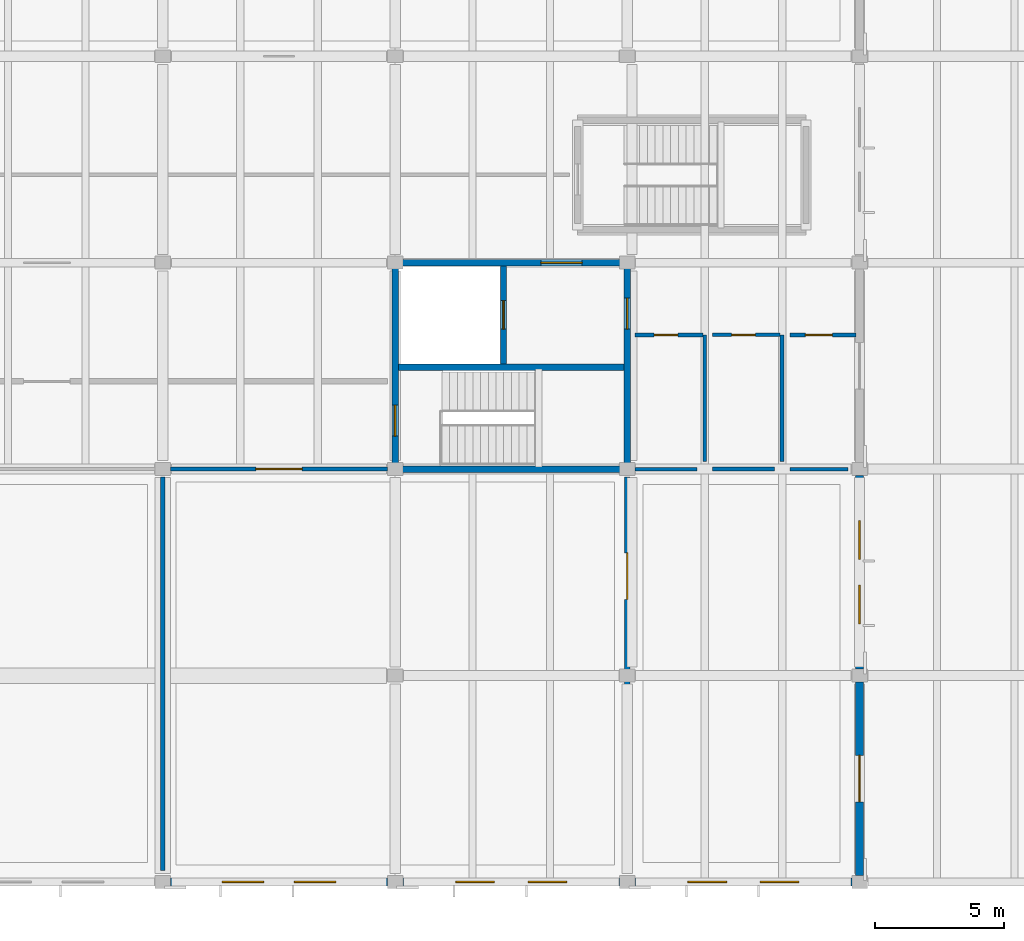
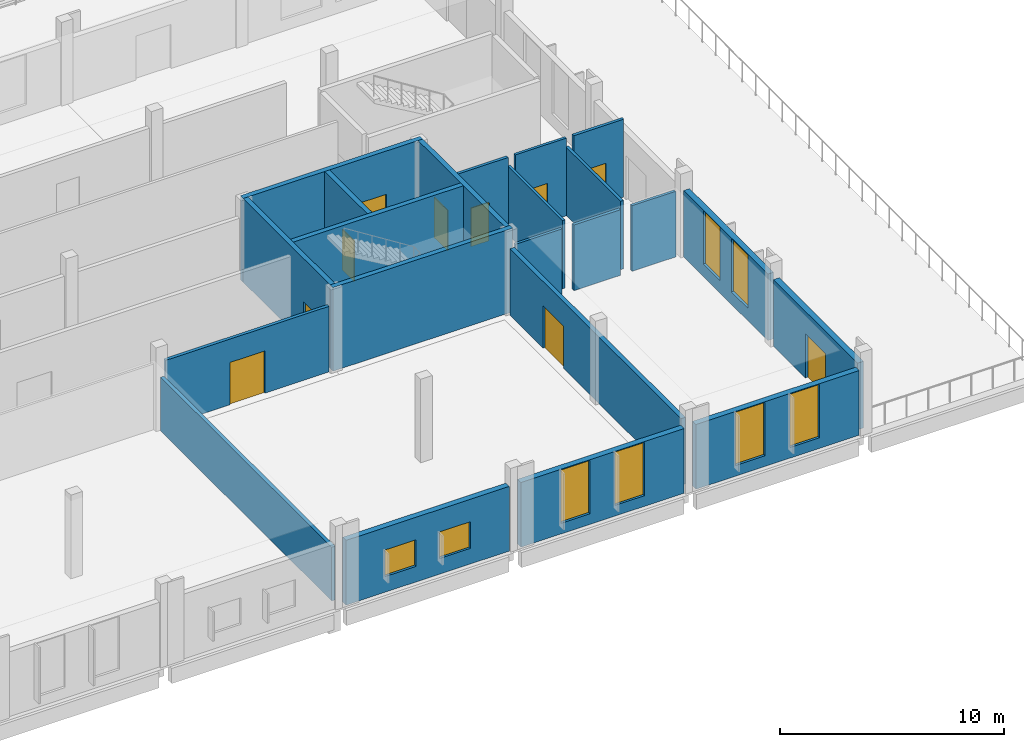
# One storey, part 41 of 63: 22 walls, 10 doors, 8 windows, 18 openings.
"""IFC4 building model written with IfcOpenShell, lengths in metres."""

from ifc_helpers import new_model, si_unit, direction, frame, frame_2d, origin, place, context, subcontext, project, spatial, rectangle, extrude, material, layer, layer_set, type_object, element, fill, save


model = new_model("IFC4")

# Units and contexts
model_context = context("Model", 3, precision=1e-05, world=origin(), true_north=direction((0.0, 1.0)))
body_context = subcontext(model_context, "Body", "Model", "MODEL_VIEW")
ifc_project = project(units=[si_unit("LENGTHUNIT", "METRE"), si_unit("AREAUNIT", "SQUARE_METRE"), si_unit("VOLUMEUNIT", "CUBIC_METRE"), si_unit("PLANEANGLEUNIT", "RADIAN"), si_unit("MASSUNIT", "GRAM", prefix="KILO")], contexts=[model_context])

# Site, building, storey
site_placement = place(None, origin())
site = spatial("IfcSite", under=ifc_project, at=site_placement, CompositionType="ELEMENT")
building_placement = place(site_placement, origin())
building = spatial("IfcBuilding", under=site, at=building_placement, Name="Zacnel Wholesale Market", CompositionType="ELEMENT")
storey_placement = place(building_placement, frame((0.0, 0.0, 11.199951171875)))
storey = spatial("IfcBuildingStorey", under=building, at=storey_placement, Name="L03", CompositionType="ELEMENT", Elevation=11.199951171875)

# Wall
ifc_material_1 = material(Name="Concrete C40/50", Category="concrete")
ifc_layer_1 = layer(ifc_material_1, 0.25)
ifc_layer_set_1 = layer_set([ifc_layer_1], Name="Concrete C40/50")
wall_type_1 = type_object("IfcWallType", Name="WL-CORE-SW250", PredefinedType="SOLIDWALL", material=ifc_layer_set_1)
wall_1_placement = place(storey_placement, frame((188.875, 16.0, 0.0), z_axis=(0.0, 0.0, 1.0), x_axis=(1.0, 0.0, 0.0)))
element("IfcWall", 1, at=wall_1_placement, inside=storey, type_object=wall_type_1, Name="Core C2 south shear wall L03", PredefinedType="SOLIDWALL", context=body_context, shape_type="SweptSolid", body=[
    extrude(rectangle(XDim=9.25, YDim=0.25, at=frame_2d((4.625, 0.0))), origin(), (0.0, 0.0, 1.0), 4.550048828125),
])

# Wall, opening, door
wall_2_placement = place(storey_placement, frame((188.875, 24.0, 0.0), z_axis=(0.0, 0.0, 1.0), x_axis=(1.0, 0.0, 0.0)))
wall_2 = element("IfcWall", 2, at=wall_2_placement, inside=storey, type_object=wall_type_1, Name="Core C2 north shear wall L03", PredefinedType="SOLIDWALL", context=body_context, shape_type="SweptSolid", body=[
    extrude(rectangle(XDim=9.25, YDim=0.25, at=frame_2d((4.625, 0.0))), origin(), (0.0, 0.0, 1.0), 4.550048828125),
])
opening_1_placement = place(wall_2_placement, frame((5.77490234375, 0.0, 0.0)))
opening_1 = element("IfcOpeningElement", 3, at=opening_1_placement, cuts=wall_2, Name="Opening FD-02", PredefinedType="OPENING", context=body_context, shape_type="SweptSolid", body=[
    extrude(rectangle(XDim=1.60009765625, YDim=2.199951171875, at=frame_2d((0.800048828125, 1.10009765625))), frame((0.0, 0.135009765625, 0.0), z_axis=(0.0, -1.0, 0.0), x_axis=(1.0, 0.0, 0.0)), (0.0, 0.0, 1.0), 0.27001953125),
])
ifc_material_2 = material(Name="Galvanized steel", Category="steel")
door_type_1 = type_object("IfcDoorType", Name="DR-FIRE-LOBBY-1600", OperationType="NOTDEFINED", PredefinedType="DOOR", material=ifc_material_2)
door_1_placement = place(opening_1_placement, origin())
door_1 = element("IfcDoor", 4, at=door_1_placement, inside=storey, type_object=door_type_1, Name="Core lift lobby fire door C2 L03", OperationType="SINGLE_SWING_RIGHT", OverallHeight=2.199951171875, OverallWidth=1.60009765625, PredefinedType="DOOR", context=body_context, shape_type="SweptSolid", body=[
    extrude(rectangle(XDim=1.60009765625, YDim=2.199951171875, at=frame_2d((0.800048828125, 1.10009765625))), frame((0.0, 0.02490234375, 0.0), z_axis=(0.0, -1.0, 0.0), x_axis=(1.0, 0.0, 0.0)), (0.0, 0.0, 1.0), 0.050048828125),
])
fill(opening_1, door_1)

wall_3_placement = place(storey_placement, frame((189.0, 16.125, 0.0), z_axis=(0.0, 0.0, 1.0), x_axis=(0.0, 1.0, 0.0)))
wall_3 = element("IfcWall", 5, at=wall_3_placement, inside=storey, type_object=wall_type_1, Name="Core C2 west shear wall L03", PredefinedType="SOLIDWALL", context=body_context, shape_type="SweptSolid", body=[
    extrude(rectangle(XDim=7.75, YDim=0.25, at=frame_2d((3.875, 0.0))), origin(), (0.0, 0.0, 1.0), 4.550048828125),
])
opening_2_placement = place(wall_3_placement, frame((1.14990234375, 0.0, 0.0)))
opening_2 = element("IfcOpeningElement", 6, at=opening_2_placement, cuts=wall_3, Name="Opening FD-01", PredefinedType="OPENING", context=body_context, shape_type="SweptSolid", body=[
    extrude(rectangle(XDim=1.199951171875, YDim=2.199951171875, at=frame_2d((0.60009765625, 1.10009765625))), frame((0.0, 0.135009765625, 0.0), z_axis=(0.0, -1.0, 0.0), x_axis=(1.0, 0.0, 0.0)), (0.0, 0.0, 1.0), 0.27001953125),
])
ifc_material_3 = material(Name="Galvanized steel", Category="steel")
door_type_2 = type_object("IfcDoorType", Name="DR-FIRE-STAIR-1200", OperationType="NOTDEFINED", PredefinedType="DOOR", material=ifc_material_3)
door_2_placement = place(opening_2_placement, origin())
door_2 = element("IfcDoor", 7, at=door_2_placement, inside=storey, type_object=door_type_2, Name="Protected stair fire door C2 L03", OperationType="SINGLE_SWING_LEFT", OverallHeight=2.199951171875, OverallWidth=1.199951171875, PredefinedType="DOOR", context=body_context, shape_type="SweptSolid", body=[
    extrude(rectangle(XDim=1.199951171875, YDim=2.199951171875, at=frame_2d((0.60009765625, 1.10009765625))), frame((0.0, 0.02490234375, 0.0), z_axis=(0.0, -1.0, 0.0), x_axis=(1.0, 0.0, 0.0)), (0.0, 0.0, 1.0), 0.050048828125),
])
fill(opening_2, door_2)

wall_4_placement = place(storey_placement, frame((198.0, 16.125, 0.0), z_axis=(0.0, 0.0, 1.0), x_axis=(0.0, 1.0, 0.0)))
wall_4 = element("IfcWall", 8, at=wall_4_placement, inside=storey, type_object=wall_type_1, Name="Core C2 east shear wall L03", PredefinedType="SOLIDWALL", context=body_context, shape_type="SweptSolid", body=[
    extrude(rectangle(XDim=7.75, YDim=0.25, at=frame_2d((3.875, 0.0))), origin(), (0.0, 0.0, 1.0), 4.550048828125),
])
opening_3_placement = place(wall_4_placement, frame((5.300048828125, 0.0, 0.0)))
opening_3 = element("IfcOpeningElement", 9, at=opening_3_placement, cuts=wall_4, Name="Opening FD-01", PredefinedType="OPENING", context=body_context, shape_type="SweptSolid", body=[
    extrude(rectangle(XDim=1.199951171875, YDim=2.199951171875, at=frame_2d((0.60009765625, 1.10009765625))), frame((0.0, 0.135009765625, 0.0), z_axis=(0.0, -1.0, 0.0), x_axis=(1.0, 0.0, 0.0)), (0.0, 0.0, 1.0), 0.27001953125),
])
door_3_placement = place(opening_3_placement, origin())
door_3 = element("IfcDoor", 10, at=door_3_placement, inside=storey, type_object=door_type_2, Name="Core east passage fire door C2 L03", OperationType="SINGLE_SWING_LEFT", OverallHeight=2.199951171875, OverallWidth=1.199951171875, PredefinedType="DOOR", context=body_context, shape_type="SweptSolid", body=[
    extrude(rectangle(XDim=1.199951171875, YDim=2.199951171875, at=frame_2d((0.60009765625, 1.10009765625))), frame((0.0, 0.02490234375, 0.0), z_axis=(0.0, -1.0, 0.0), x_axis=(1.0, 0.0, 0.0)), (0.0, 0.0, 1.0), 0.050048828125),
])
fill(opening_3, door_3)

# Wall
wall_5_placement = place(storey_placement, frame((189.125, 19.949951171875, 0.0), z_axis=(0.0, 0.0, 1.0), x_axis=(1.0, 0.0, 0.0)))
element("IfcWall", 11, at=wall_5_placement, inside=storey, type_object=wall_type_1, Name="Core C2 stair-shaft shear wall L03", PredefinedType="SOLIDWALL", context=body_context, shape_type="SweptSolid", body=[
    extrude(rectangle(XDim=8.75, YDim=0.25, at=frame_2d((4.375, 0.0))), origin(), (0.0, 0.0, 1.0), 4.550048828125),
])

# Wall, opening, door
wall_6_placement = place(storey_placement, frame((193.199951171875, 20.074951171875, 0.0), z_axis=(0.0, 0.0, 1.0), x_axis=(0.0, 1.0, 0.0)))
wall_6 = element("IfcWall", 12, at=wall_6_placement, inside=storey, type_object=wall_type_1, Name="Core C2 lift shaft front wall L03", PredefinedType="SOLIDWALL", context=body_context, shape_type="SweptSolid", body=[
    extrude(rectangle(XDim=3.800048828125, YDim=0.25, at=frame_2d((1.89990234375, 0.0))), origin(), (0.0, 0.0, 1.0), 4.550048828125),
])
opening_4_placement = place(wall_6_placement, frame((1.35009765625, 0.0, 0.0)))
opening_4 = element("IfcOpeningElement", 13, at=opening_4_placement, cuts=wall_6, Name="Opening LD-01", PredefinedType="OPENING", context=body_context, shape_type="SweptSolid", body=[
    extrude(rectangle(XDim=1.10009765625, YDim=2.199951171875, at=frame_2d((0.550048828125, 1.10009765625))), frame((0.0, 0.135009765625, 0.0), z_axis=(0.0, -1.0, 0.0), x_axis=(1.0, 0.0, 0.0)), (0.0, 0.0, 1.0), 0.27001953125),
])
ifc_material_4 = material(Name="Galvanized steel", Category="steel")
door_type_3 = type_object("IfcDoorType", Name="DR-LIFT-PASS-1100", OperationType="NOTDEFINED", PredefinedType="DOOR", material=ifc_material_4)
door_4_placement = place(opening_4_placement, origin())
door_4 = element("IfcDoor", 14, at=door_4_placement, inside=storey, type_object=door_type_3, Name="Lift landing door LP-02 L03", OperationType="SLIDING_TO_LEFT", OverallHeight=2.199951171875, OverallWidth=1.10009765625, PredefinedType="DOOR", context=body_context, shape_type="SweptSolid", body=[
    extrude(rectangle(XDim=1.10009765625, YDim=2.199951171875, at=frame_2d((0.550048828125, 1.10009765625))), frame((0.0, 0.02490234375, 0.0), z_axis=(0.0, -1.0, 0.0), x_axis=(1.0, 0.0, 0.0)), (0.0, 0.0, 1.0), 0.050048828125),
])
fill(opening_4, door_4)

# Wall, openings, windows
ifc_material_5 = material(Name="Precast concrete C40/50 (Cancun limestone aggregate)", Category="masonry")
ifc_layer_2 = layer(ifc_material_5, 0.300048828125)
ifc_layer_set_2 = layer_set([ifc_layer_2], Name="Precast concrete C40/50 (Cancun limestone aggregate)")
wall_type_2 = type_object("IfcWallType", Name="WL-EXT-LIME-300", PredefinedType="SOLIDWALL", material=ifc_layer_set_2)
wall_7_placement = place(storey_placement, frame((180.300048828125, 0.0, 0.0), z_axis=(0.0, 0.0, 1.0), x_axis=(1.0, 0.0, 0.0)))
wall_7 = element("IfcWall", 15, at=wall_7_placement, inside=storey, type_object=wall_type_2, Name="Exterior wall L03-0381", PredefinedType="SOLIDWALL", context=body_context, shape_type="SweptSolid", body=[
    extrude(rectangle(XDim=8.39990234375, YDim=0.300048828125, at=frame_2d((4.199951171875, 0.0))), origin(), (0.0, 0.0, 1.0), 3.52001953125),
])
opening_5_placement = place(wall_7_placement, frame((2.0, 0.0, 0.85009765625)))
opening_5 = element("IfcOpeningElement", 16, at=opening_5_placement, cuts=wall_7, Name="Opening W-06", PredefinedType="OPENING", context=body_context, shape_type="SweptSolid", body=[
    extrude(rectangle(XDim=1.60009765625, YDim=1.449951171875, at=frame_2d((0.800048828125, 0.72509765625))), frame((0.0, 0.159912109375, 0.0), z_axis=(0.0, -1.0, 0.0), x_axis=(1.0, 0.0, 0.0)), (0.0, 0.0, 1.0), 0.320068359375),
])
opening_6_placement = place(wall_7_placement, frame((4.800048828125, 0.0, 0.85009765625)))
opening_6 = element("IfcOpeningElement", 17, at=opening_6_placement, cuts=wall_7, Name="Opening W-06", PredefinedType="OPENING", context=body_context, shape_type="SweptSolid", body=[
    extrude(rectangle(XDim=1.60009765625, YDim=1.449951171875, at=frame_2d((0.800048828125, 0.72509765625))), frame((0.0, 0.159912109375, 0.0), z_axis=(0.0, -1.0, 0.0), x_axis=(1.0, 0.0, 0.0)), (0.0, 0.0, 1.0), 0.320068359375),
])
ifc_material_6 = material(Name="Laminated hurricane-impact low-E insulated glass", Category="glass")
window_type_1 = type_object("IfcWindowType", Name="WIN-HIG-1600X1450", PartitioningType="DOUBLE_PANEL_HORIZONTAL", PredefinedType="WINDOW", material=ifc_material_6)
window_1_placement = place(opening_5_placement, origin())
window_1 = element("IfcWindow", 18, at=window_1_placement, inside=storey, type_object=window_type_1, Name="Window L03-0393", OverallHeight=1.449951171875, OverallWidth=1.60009765625, PartitioningType="DOUBLE_PANEL_HORIZONTAL", PredefinedType="WINDOW", context=body_context, shape_type="SweptSolid", body=[
    extrude(rectangle(XDim=1.60009765625, YDim=1.449951171875, at=frame_2d((0.800048828125, 0.72509765625))), frame((0.0, 0.030029296875, 0.0), z_axis=(0.0, -1.0, 0.0), x_axis=(1.0, 0.0, 0.0)), (0.0, 0.0, 1.0), 0.06005859375),
])
fill(opening_5, window_1)
window_2_placement = place(opening_6_placement, origin())
window_2 = element("IfcWindow", 19, at=window_2_placement, inside=storey, type_object=window_type_1, Name="Window L03-0394", OverallHeight=1.449951171875, OverallWidth=1.60009765625, PartitioningType="DOUBLE_PANEL_HORIZONTAL", PredefinedType="WINDOW", context=body_context, shape_type="SweptSolid", body=[
    extrude(rectangle(XDim=1.60009765625, YDim=1.449951171875, at=frame_2d((0.800048828125, 0.72509765625))), frame((0.0, 0.030029296875, 0.0), z_axis=(0.0, -1.0, 0.0), x_axis=(1.0, 0.0, 0.0)), (0.0, 0.0, 1.0), 0.06005859375),
])
fill(opening_6, window_2)

wall_8_placement = place(storey_placement, frame((189.300048828125, 0.0, 0.0), z_axis=(0.0, 0.0, 1.0), x_axis=(1.0, 0.0, 0.0)))
wall_8 = element("IfcWall", 20, at=wall_8_placement, inside=storey, type_object=wall_type_2, Name="Exterior wall L03-0382", PredefinedType="SOLIDWALL", context=body_context, shape_type="SweptSolid", body=[
    extrude(rectangle(XDim=8.39990234375, YDim=0.300048828125, at=frame_2d((4.199951171875, 0.0))), origin(), (0.0, 0.0, 1.0), 3.52001953125),
])
opening_7_placement = place(wall_8_placement, frame((2.050048828125, 0.0, 0.580078125)))
opening_7 = element("IfcOpeningElement", 21, at=opening_7_placement, cuts=wall_8, Name="Opening W-04", PredefinedType="OPENING", context=body_context, shape_type="SweptSolid", body=[
    extrude(rectangle(XDim=1.5, YDim=2.89990234375, at=frame_2d((0.75, 1.449951171875))), frame((0.0, 0.159912109375, 0.0), z_axis=(0.0, -1.0, 0.0), x_axis=(1.0, 0.0, 0.0)), (0.0, 0.0, 1.0), 0.320068359375),
])
opening_8_placement = place(wall_8_placement, frame((4.85009765625, 0.0, 0.580078125)))
opening_8 = element("IfcOpeningElement", 22, at=opening_8_placement, cuts=wall_8, Name="Opening W-04", PredefinedType="OPENING", context=body_context, shape_type="SweptSolid", body=[
    extrude(rectangle(XDim=1.5, YDim=2.89990234375, at=frame_2d((0.75, 1.449951171875))), frame((0.0, 0.159912109375, 0.0), z_axis=(0.0, -1.0, 0.0), x_axis=(1.0, 0.0, 0.0)), (0.0, 0.0, 1.0), 0.320068359375),
])
ifc_material_7 = material(Name="Laminated hurricane-impact low-E insulated glass", Category="glass")
window_type_2 = type_object("IfcWindowType", Name="WIN-DEC-1500X2900", PartitioningType="DOUBLE_PANEL_VERTICAL", PredefinedType="WINDOW", material=ifc_material_7)
window_3_placement = place(opening_7_placement, origin())
window_3 = element("IfcWindow", 23, at=window_3_placement, inside=storey, type_object=window_type_2, Name="Window L03-0395", OverallHeight=2.89990234375, OverallWidth=1.5, PartitioningType="DOUBLE_PANEL_VERTICAL", PredefinedType="WINDOW", context=body_context, shape_type="SweptSolid", body=[
    extrude(rectangle(XDim=1.5, YDim=2.89990234375, at=frame_2d((0.75, 1.449951171875))), frame((0.0, 0.030029296875, 0.0), z_axis=(0.0, -1.0, 0.0), x_axis=(1.0, 0.0, 0.0)), (0.0, 0.0, 1.0), 0.06005859375),
])
fill(opening_7, window_3)
window_4_placement = place(opening_8_placement, origin())
window_4 = element("IfcWindow", 24, at=window_4_placement, inside=storey, type_object=window_type_2, Name="Window L03-0396", OverallHeight=2.89990234375, OverallWidth=1.5, PartitioningType="DOUBLE_PANEL_VERTICAL", PredefinedType="WINDOW", context=body_context, shape_type="SweptSolid", body=[
    extrude(rectangle(XDim=1.5, YDim=2.89990234375, at=frame_2d((0.75, 1.449951171875))), frame((0.0, 0.030029296875, 0.0), z_axis=(0.0, -1.0, 0.0), x_axis=(1.0, 0.0, 0.0)), (0.0, 0.0, 1.0), 0.06005859375),
])
fill(opening_8, window_4)

wall_9_placement = place(storey_placement, frame((198.300048828125, 0.0, 0.0), z_axis=(0.0, 0.0, 1.0), x_axis=(1.0, 0.0, 0.0)))
wall_9 = element("IfcWall", 25, at=wall_9_placement, inside=storey, type_object=wall_type_2, Name="Exterior wall L03-0383", PredefinedType="SOLIDWALL", context=body_context, shape_type="SweptSolid", body=[
    extrude(rectangle(XDim=8.39990234375, YDim=0.300048828125, at=frame_2d((4.199951171875, 0.0))), origin(), (0.0, 0.0, 1.0), 3.52001953125),
])
opening_9_placement = place(wall_9_placement, frame((2.050048828125, 0.0, 0.580078125)))
opening_9 = element("IfcOpeningElement", 26, at=opening_9_placement, cuts=wall_9, Name="Opening W-04", PredefinedType="OPENING", context=body_context, shape_type="SweptSolid", body=[
    extrude(rectangle(XDim=1.5, YDim=2.89990234375, at=frame_2d((0.75, 1.449951171875))), frame((0.0, 0.159912109375, 0.0), z_axis=(0.0, -1.0, 0.0), x_axis=(1.0, 0.0, 0.0)), (0.0, 0.0, 1.0), 0.320068359375),
])
opening_10_placement = place(wall_9_placement, frame((4.85009765625, 0.0, 0.580078125)))
opening_10 = element("IfcOpeningElement", 27, at=opening_10_placement, cuts=wall_9, Name="Opening W-04", PredefinedType="OPENING", context=body_context, shape_type="SweptSolid", body=[
    extrude(rectangle(XDim=1.5, YDim=2.89990234375, at=frame_2d((0.75, 1.449951171875))), frame((0.0, 0.159912109375, 0.0), z_axis=(0.0, -1.0, 0.0), x_axis=(1.0, 0.0, 0.0)), (0.0, 0.0, 1.0), 0.320068359375),
])
window_5_placement = place(opening_9_placement, origin())
window_5 = element("IfcWindow", 28, at=window_5_placement, inside=storey, type_object=window_type_2, Name="Window L03-0397", OverallHeight=2.89990234375, OverallWidth=1.5, PartitioningType="DOUBLE_PANEL_VERTICAL", PredefinedType="WINDOW", context=body_context, shape_type="SweptSolid", body=[
    extrude(rectangle(XDim=1.5, YDim=2.89990234375, at=frame_2d((0.75, 1.449951171875))), frame((0.0, 0.030029296875, 0.0), z_axis=(0.0, -1.0, 0.0), x_axis=(1.0, 0.0, 0.0)), (0.0, 0.0, 1.0), 0.06005859375),
])
fill(opening_9, window_5)
window_6_placement = place(opening_10_placement, origin())
window_6 = element("IfcWindow", 29, at=window_6_placement, inside=storey, type_object=window_type_2, Name="Window L03-0398", OverallHeight=2.89990234375, OverallWidth=1.5, PartitioningType="DOUBLE_PANEL_VERTICAL", PredefinedType="WINDOW", context=body_context, shape_type="SweptSolid", body=[
    extrude(rectangle(XDim=1.5, YDim=2.89990234375, at=frame_2d((0.75, 1.449951171875))), frame((0.0, 0.030029296875, 0.0), z_axis=(0.0, -1.0, 0.0), x_axis=(1.0, 0.0, 0.0)), (0.0, 0.0, 1.0), 0.06005859375),
])
fill(opening_10, window_6)

# Wall, opening, door
wall_10_placement = place(storey_placement, frame((207.0, 0.25, 0.0), z_axis=(0.0, 0.0, 1.0), x_axis=(0.0, 1.0, 0.0)))
wall_10 = element("IfcWall", 30, at=wall_10_placement, inside=storey, type_object=wall_type_2, Name="Exterior wall L03-0396", PredefinedType="SOLIDWALL", context=body_context, shape_type="SweptSolid", body=[
    extrude(rectangle(XDim=7.5, YDim=0.300048828125, at=frame_2d((3.75, 0.0))), origin(), (0.0, 0.0, 1.0), 3.6201171875),
])
opening_11_placement = place(wall_10_placement, frame((2.85009765625, 0.0, 0.0)))
opening_11 = element("IfcOpeningElement", 31, at=opening_11_placement, cuts=wall_10, Name="Opening ED-03", PredefinedType="OPENING", context=body_context, shape_type="SweptSolid", body=[
    extrude(rectangle(XDim=1.800048828125, YDim=2.39990234375, at=frame_2d((0.89990234375, 1.199951171875))), frame((0.0, 0.159912109375, 0.0), z_axis=(0.0, -1.0, 0.0), x_axis=(1.0, 0.0, 0.0)), (0.0, 0.0, 1.0), 0.320068359375),
])
ifc_material_8 = material(Name="Anodised aluminium", Category="aluminium")
door_type_4 = type_object("IfcDoorType", Name="DR-EXT-TERR-1800", OperationType="NOTDEFINED", PredefinedType="DOOR", material=ifc_material_8)
door_5_placement = place(opening_11_placement, origin())
door_5 = element("IfcDoor", 32, at=door_5_placement, inside=storey, type_object=door_type_4, Name="Terrace access door L03-056", OperationType="DOUBLE_DOOR_SINGLE_SWING", OverallHeight=2.39990234375, OverallWidth=1.800048828125, PredefinedType="DOOR", context=body_context, shape_type="SweptSolid", body=[
    extrude(rectangle(XDim=1.800048828125, YDim=2.39990234375, at=frame_2d((0.89990234375, 1.199951171875))), frame((0.0, 0.02490234375, 0.0), z_axis=(0.0, -1.0, 0.0), x_axis=(1.0, 0.0, 0.0)), (0.0, 0.0, 1.0), 0.050048828125),
])
fill(opening_11, door_5)

# Wall, openings, windows
wall_11_placement = place(storey_placement, frame((207.0, 8.25, 0.0), z_axis=(0.0, 0.0, 1.0), x_axis=(0.0, 1.0, 0.0)))
wall_11 = element("IfcWall", 33, at=wall_11_placement, inside=storey, type_object=wall_type_2, Name="Exterior wall L03-0397", PredefinedType="SOLIDWALL", context=body_context, shape_type="SweptSolid", body=[
    extrude(rectangle(XDim=7.5, YDim=0.300048828125, at=frame_2d((3.75, 0.0))), origin(), (0.0, 0.0, 1.0), 3.6201171875),
])
opening_12_placement = place(wall_11_placement, frame((1.75, 0.0, 0.679931640625)))
opening_12 = element("IfcOpeningElement", 34, at=opening_12_placement, cuts=wall_11, Name="Opening W-04", PredefinedType="OPENING", context=body_context, shape_type="SweptSolid", body=[
    extrude(rectangle(XDim=1.5, YDim=2.89990234375, at=frame_2d((0.75, 1.449951171875))), frame((0.0, 0.159912109375, 0.0), z_axis=(0.0, -1.0, 0.0), x_axis=(1.0, 0.0, 0.0)), (0.0, 0.0, 1.0), 0.320068359375),
])
opening_13_placement = place(wall_11_placement, frame((4.25, 0.0, 0.679931640625)))
opening_13 = element("IfcOpeningElement", 35, at=opening_13_placement, cuts=wall_11, Name="Opening W-04", PredefinedType="OPENING", context=body_context, shape_type="SweptSolid", body=[
    extrude(rectangle(XDim=1.5, YDim=2.89990234375, at=frame_2d((0.75, 1.449951171875))), frame((0.0, 0.159912109375, 0.0), z_axis=(0.0, -1.0, 0.0), x_axis=(1.0, 0.0, 0.0)), (0.0, 0.0, 1.0), 0.320068359375),
])
window_7_placement = place(opening_12_placement, origin())
window_7 = element("IfcWindow", 36, at=window_7_placement, inside=storey, type_object=window_type_2, Name="Window L03-0417", OverallHeight=2.89990234375, OverallWidth=1.5, PartitioningType="DOUBLE_PANEL_VERTICAL", PredefinedType="WINDOW", context=body_context, shape_type="SweptSolid", body=[
    extrude(rectangle(XDim=1.5, YDim=2.89990234375, at=frame_2d((0.75, 1.449951171875))), frame((0.0, 0.030029296875, 0.0), z_axis=(0.0, -1.0, 0.0), x_axis=(1.0, 0.0, 0.0)), (0.0, 0.0, 1.0), 0.06005859375),
])
fill(opening_12, window_7)
window_8_placement = place(opening_13_placement, origin())
window_8 = element("IfcWindow", 37, at=window_8_placement, inside=storey, type_object=window_type_2, Name="Window L03-0418", OverallHeight=2.89990234375, OverallWidth=1.5, PartitioningType="DOUBLE_PANEL_VERTICAL", PredefinedType="WINDOW", context=body_context, shape_type="SweptSolid", body=[
    extrude(rectangle(XDim=1.5, YDim=2.89990234375, at=frame_2d((0.75, 1.449951171875))), frame((0.0, 0.030029296875, 0.0), z_axis=(0.0, -1.0, 0.0), x_axis=(1.0, 0.0, 0.0)), (0.0, 0.0, 1.0), 0.06005859375),
])
fill(opening_13, window_8)

# Walls
ifc_material_9 = material(Name="Concrete blockwork masonry", Category="masonry")
ifc_layer_3 = layer(ifc_material_9, 0.135009765625)
ifc_layer_set_3 = layer_set([ifc_layer_3], Name="Concrete blockwork masonry")
wall_type_3 = type_object("IfcWallType", Name="WL-PART-MAS135", PredefinedType="PARTITIONING", material=ifc_layer_set_3)
wall_12_placement = place(storey_placement, frame((198.300048828125, 16.0, 0.0), z_axis=(0.0, 0.0, 1.0), x_axis=(1.0, 0.0, 0.0)))
element("IfcWall", 38, at=wall_12_placement, inside=storey, type_object=wall_type_3, Name="Interior partition L03-0182", PredefinedType="PARTITIONING", context=body_context, shape_type="SweptSolid", body=[
    extrude(rectangle(XDim=2.39990234375, YDim=0.135009765625, at=frame_2d((1.199951171875, 0.0))), origin(), (0.0, 0.0, 1.0), 3.570068359375),
])
wall_13_placement = place(storey_placement, frame((204.300048828125, 16.0, 0.0), z_axis=(0.0, 0.0, 1.0), x_axis=(1.0, 0.0, 0.0)))
element("IfcWall", 39, at=wall_13_placement, inside=storey, type_object=wall_type_3, Name="Interior partition L03-0184", PredefinedType="PARTITIONING", context=body_context, shape_type="SweptSolid", body=[
    extrude(rectangle(XDim=2.25, YDim=0.135009765625, at=frame_2d((1.125, 0.0))), origin(), (0.0, 0.0, 1.0), 3.570068359375),
])

# Wall, opening, door
wall_14_placement = place(storey_placement, frame((201.300048828125, 21.199951171875, 0.0), z_axis=(0.0, 0.0, 1.0), x_axis=(1.0, 0.0, 0.0)))
wall_14 = element("IfcWall", 40, at=wall_14_placement, inside=storey, type_object=wall_type_3, Name="Interior partition L03-0186", PredefinedType="PARTITIONING", context=body_context, shape_type="SweptSolid", body=[
    extrude(rectangle(XDim=2.625, YDim=0.135009765625, at=frame_2d((1.3125, 0.0))), origin(), (0.0, 0.0, 1.0), 4.22998046875),
])
opening_14_placement = place(wall_14_placement, frame((0.739990234375, 0.0, 0.0)))
opening_14 = element("IfcOpeningElement", 41, at=opening_14_placement, cuts=wall_14, Name="Opening ID-08", PredefinedType="OPENING", context=body_context, shape_type="SweptSolid", body=[
    extrude(rectangle(XDim=0.919921875, YDim=2.10009765625, at=frame_2d((0.4599609375, 1.050048828125))), frame((0.0, 0.077392578125, 0.0), z_axis=(0.0, -1.0, 0.0), x_axis=(1.0, 0.0, 0.0)), (0.0, 0.0, 1.0), 0.155029296875),
])
ifc_material_10 = material(Name="Solid-core tropical hardwood door", Category="wood")
door_type_5 = type_object("IfcDoorType", Name="DR-WC-STD-920", OperationType="NOTDEFINED", PredefinedType="DOOR", material=ifc_material_10)
door_6_placement = place(opening_14_placement, origin())
door_6 = element("IfcDoor", 42, at=door_6_placement, inside=storey, type_object=door_type_5, Name="Interior door L03-0145", OperationType="SINGLE_SWING_LEFT", OverallHeight=2.10009765625, OverallWidth=0.919921875, PredefinedType="DOOR", context=body_context, shape_type="SweptSolid", body=[
    extrude(rectangle(XDim=0.919921875, YDim=2.10009765625, at=frame_2d((0.4599609375, 1.050048828125))), frame((0.0, 0.02490234375, 0.0), z_axis=(0.0, -1.0, 0.0), x_axis=(1.0, 0.0, 0.0)), (0.0, 0.0, 1.0), 0.050048828125),
])
fill(opening_14, door_6)

# Walls
wall_15_placement = place(storey_placement, frame((201.0, 16.300048828125, 0.0), z_axis=(0.0, 0.0, 1.0), x_axis=(0.0, 1.0, 0.0)))
element("IfcWall", 43, at=wall_15_placement, inside=storey, type_object=wall_type_3, Name="Interior partition L03-0188", PredefinedType="PARTITIONING", context=body_context, shape_type="SweptSolid", body=[
    extrude(rectangle(XDim=4.89990234375, YDim=0.135009765625, at=frame_2d((2.449951171875, 0.0))), origin(), (0.0, 0.0, 1.0), 3.719970703125),
])
ifc_material_11 = material(Name="Concrete blockwork masonry", Category="masonry")
ifc_layer_4 = layer(ifc_material_11, 0.14990234375)
ifc_layer_set_4 = layer_set([ifc_layer_4], Name="Concrete blockwork masonry")
wall_type_4 = type_object("IfcWallType", Name="WL-PART-MAS150", PredefinedType="PARTITIONING", material=ifc_layer_set_4)
wall_16_placement = place(storey_placement, frame((201.300048828125, 16.0, 0.0), z_axis=(0.0, 0.0, 1.0), x_axis=(1.0, 0.0, 0.0)))
element("IfcWall", 44, at=wall_16_placement, inside=storey, type_object=wall_type_4, Name="Interior partition L03-0183", PredefinedType="PARTITIONING", context=body_context, shape_type="SweptSolid", body=[
    extrude(rectangle(XDim=2.39990234375, YDim=0.14990234375, at=frame_2d((1.199951171875, 0.0))), origin(), (0.0, 0.0, 1.0), 3.570068359375),
])

# Wall, opening, door
wall_17_placement = place(storey_placement, frame((198.300048828125, 21.199951171875, 0.0), z_axis=(0.0, 0.0, 1.0), x_axis=(1.0, 0.0, 0.0)))
wall_17 = element("IfcWall", 45, at=wall_17_placement, inside=storey, type_object=wall_type_4, Name="Interior partition L03-0185", PredefinedType="PARTITIONING", context=body_context, shape_type="SweptSolid", body=[
    extrude(rectangle(XDim=2.632568359375, YDim=0.14990234375, at=frame_2d((1.31640625, 0.0))), origin(), (0.0, 0.0, 1.0), 4.22998046875),
])
opening_15_placement = place(wall_17_placement, frame((0.739990234375, 0.0, 0.0)))
opening_15 = element("IfcOpeningElement", 46, at=opening_15_placement, cuts=wall_17, Name="Opening ID-08", PredefinedType="OPENING", context=body_context, shape_type="SweptSolid", body=[
    extrude(rectangle(XDim=0.919921875, YDim=2.10009765625, at=frame_2d((0.4599609375, 1.050048828125))), frame((0.0, 0.0849609375, 0.0), z_axis=(0.0, -1.0, 0.0), x_axis=(1.0, 0.0, 0.0)), (0.0, 0.0, 1.0), 0.169921875),
])
door_7_placement = place(opening_15_placement, origin())
door_7 = element("IfcDoor", 47, at=door_7_placement, inside=storey, type_object=door_type_5, Name="Interior door L03-0144", OperationType="SINGLE_SWING_RIGHT", OverallHeight=2.10009765625, OverallWidth=0.919921875, PredefinedType="DOOR", context=body_context, shape_type="SweptSolid", body=[
    extrude(rectangle(XDim=0.919921875, YDim=2.10009765625, at=frame_2d((0.4599609375, 1.050048828125))), frame((0.0, 0.02490234375, 0.0), z_axis=(0.0, -1.0, 0.0), x_axis=(1.0, 0.0, 0.0)), (0.0, 0.0, 1.0), 0.050048828125),
])
fill(opening_15, door_7)

wall_18_placement = place(storey_placement, frame((204.300048828125, 21.199951171875, 0.0), z_axis=(0.0, 0.0, 1.0), x_axis=(1.0, 0.0, 0.0)))
wall_18 = element("IfcWall", 48, at=wall_18_placement, inside=storey, type_object=wall_type_4, Name="Interior partition L03-0187", PredefinedType="PARTITIONING", context=body_context, shape_type="SweptSolid", body=[
    extrude(rectangle(XDim=2.570068359375, YDim=0.14990234375, at=frame_2d((1.28515625, 0.0))), origin(), (0.0, 0.0, 1.0), 4.22998046875),
])
opening_16_placement = place(wall_18_placement, frame((0.60009765625, 0.0, 0.0)))
opening_16 = element("IfcOpeningElement", 49, at=opening_16_placement, cuts=wall_18, Name="Opening ID-07", PredefinedType="OPENING", context=body_context, shape_type="SweptSolid", body=[
    extrude(rectangle(XDim=1.050048828125, YDim=2.14990234375, at=frame_2d((0.52490234375, 1.074951171875))), frame((0.0, 0.0849609375, 0.0), z_axis=(0.0, -1.0, 0.0), x_axis=(1.0, 0.0, 0.0)), (0.0, 0.0, 1.0), 0.169921875),
])
ifc_material_12 = material(Name="Solid-core tropical hardwood door", Category="wood")
door_type_6 = type_object("IfcDoorType", Name="DR-WC-ACC-1050", OperationType="NOTDEFINED", PredefinedType="DOOR", material=ifc_material_12)
door_8_placement = place(opening_16_placement, origin())
door_8 = element("IfcDoor", 50, at=door_8_placement, inside=storey, type_object=door_type_6, Name="Interior door L03-0146", OperationType="SINGLE_SWING_RIGHT", OverallHeight=2.14990234375, OverallWidth=1.050048828125, PredefinedType="DOOR", context=body_context, shape_type="SweptSolid", body=[
    extrude(rectangle(XDim=1.050048828125, YDim=2.14990234375, at=frame_2d((0.52490234375, 1.074951171875))), frame((0.0, 0.02490234375, 0.0), z_axis=(0.0, -1.0, 0.0), x_axis=(1.0, 0.0, 0.0)), (0.0, 0.0, 1.0), 0.050048828125),
])
fill(opening_16, door_8)

# Wall
wall_19_placement = place(storey_placement, frame((204.0, 16.300048828125, 0.0), z_axis=(0.0, 0.0, 1.0), x_axis=(0.0, 1.0, 0.0)))
element("IfcWall", 51, at=wall_19_placement, inside=storey, type_object=wall_type_4, Name="Interior partition L03-0189", PredefinedType="PARTITIONING", context=body_context, shape_type="SweptSolid", body=[
    extrude(rectangle(XDim=4.89990234375, YDim=0.14990234375, at=frame_2d((2.449951171875, 0.0))), origin(), (0.0, 0.0, 1.0), 3.719970703125),
])

# Wall, opening, door
ifc_material_13 = material(Name="Concrete blockwork masonry", Category="masonry")
ifc_layer_5 = layer(ifc_material_13, 0.1650390625)
ifc_layer_set_5 = layer_set([ifc_layer_5], Name="Concrete blockwork masonry")
wall_type_5 = type_object("IfcWallType", Name="WL-PART-MAS165", PredefinedType="PARTITIONING", material=ifc_layer_set_5)
wall_20_placement = place(storey_placement, frame((180.300048828125, 16.0, 0.0), z_axis=(0.0, 0.0, 1.0), x_axis=(1.0, 0.0, 0.0)))
wall_20 = element("IfcWall", 52, at=wall_20_placement, inside=storey, type_object=wall_type_5, Name="Interior partition L03-0176", PredefinedType="PARTITIONING", context=body_context, shape_type="SweptSolid", body=[
    extrude(rectangle(XDim=8.39990234375, YDim=0.1650390625, at=frame_2d((4.199951171875, 0.0))), origin(), (0.0, 0.0, 1.0), 3.570068359375),
])
opening_17_placement = place(wall_20_placement, frame((3.300048828125, 0.0, 0.0)))
opening_17 = element("IfcOpeningElement", 53, at=opening_17_placement, cuts=wall_20, Name="Opening FD-03", PredefinedType="OPENING", context=body_context, shape_type="SweptSolid", body=[
    extrude(rectangle(XDim=1.800048828125, YDim=2.300048828125, at=frame_2d((0.89990234375, 1.14990234375))), frame((0.0, 0.092529296875, 0.0), z_axis=(0.0, -1.0, 0.0), x_axis=(1.0, 0.0, 0.0)), (0.0, 0.0, 1.0), 0.18505859375),
])
ifc_material_14 = material(Name="Galvanized steel", Category="steel")
door_type_7 = type_object("IfcDoorType", Name="DR-FIRE-COMP-1800", OperationType="NOTDEFINED", PredefinedType="DOOR", material=ifc_material_14)
door_9_placement = place(opening_17_placement, origin())
door_9 = element("IfcDoor", 54, at=door_9_placement, inside=storey, type_object=door_type_7, Name="Interior door L03-0139", OperationType="SINGLE_SWING_RIGHT", OverallHeight=2.300048828125, OverallWidth=1.800048828125, PredefinedType="DOOR", context=body_context, shape_type="SweptSolid", body=[
    extrude(rectangle(XDim=1.800048828125, YDim=2.300048828125, at=frame_2d((0.89990234375, 1.14990234375))), frame((0.0, 0.02490234375, 0.0), z_axis=(0.0, -1.0, 0.0), x_axis=(1.0, 0.0, 0.0)), (0.0, 0.0, 1.0), 0.050048828125),
])
fill(opening_17, door_9)

# Wall
ifc_material_15 = material(Name="Concrete blockwork masonry", Category="masonry")
ifc_layer_6 = layer(ifc_material_15, 0.179931640625)
ifc_layer_set_6 = layer_set([ifc_layer_6], Name="Concrete blockwork masonry")
wall_type_6 = type_object("IfcWallType", Name="WL-PART-MAS180", PredefinedType="PARTITIONING", material=ifc_layer_set_6)
wall_21_placement = place(storey_placement, frame((180.0, 0.449951171875, 0.0), z_axis=(0.0, 0.0, 1.0), x_axis=(0.0, 1.0, 0.0)))
element("IfcWall", 55, at=wall_21_placement, inside=storey, type_object=wall_type_6, Name="Interior partition L03-0179", PredefinedType="PARTITIONING", context=body_context, shape_type="SweptSolid", body=[
    extrude(rectangle(XDim=15.25, YDim=0.179931640625, at=frame_2d((7.625, 0.0))), origin(), (0.0, 0.0, 1.0), 2.920166015625),
])

# Wall, opening, door
ifc_material_16 = material(Name="Concrete blockwork masonry", Category="masonry")
ifc_layer_7 = layer(ifc_material_16, 0.22509765625)
ifc_layer_set_7 = layer_set([ifc_layer_7], Name="Concrete blockwork masonry")
wall_type_7 = type_object("IfcWallType", Name="WL-PART-MAS225", PredefinedType="PARTITIONING", material=ifc_layer_set_7)
wall_22_placement = place(storey_placement, frame((198.0, 0.449951171875, 0.0), z_axis=(0.0, 0.0, 1.0), x_axis=(0.0, 1.0, 0.0)))
wall_22 = element("IfcWall", 56, at=wall_22_placement, inside=storey, type_object=wall_type_7, Name="Interior partition L03-0181", PredefinedType="PARTITIONING", context=body_context, shape_type="SweptSolid", body=[
    extrude(rectangle(XDim=15.25, YDim=0.22509765625, at=frame_2d((7.625, 0.0))), origin(), (0.0, 0.0, 1.0), 3.6201171875),
])
opening_18_placement = place(wall_22_placement, frame((10.5, 0.0, 0.0)))
opening_18 = element("IfcOpeningElement", 57, at=opening_18_placement, cuts=wall_22, Name="Opening FD-03", PredefinedType="OPENING", context=body_context, shape_type="SweptSolid", body=[
    extrude(rectangle(XDim=1.800048828125, YDim=2.300048828125, at=frame_2d((0.89990234375, 1.14990234375))), frame((0.0, 0.12255859375, 0.0), z_axis=(0.0, -1.0, 0.0), x_axis=(1.0, 0.0, 0.0)), (0.0, 0.0, 1.0), 0.2451171875),
])
door_10_placement = place(opening_18_placement, origin())
door_10 = element("IfcDoor", 58, at=door_10_placement, inside=storey, type_object=door_type_7, Name="Interior door L03-0143", OperationType="SINGLE_SWING_LEFT", OverallHeight=2.300048828125, OverallWidth=1.800048828125, PredefinedType="DOOR", context=body_context, shape_type="SweptSolid", body=[
    extrude(rectangle(XDim=1.800048828125, YDim=2.300048828125, at=frame_2d((0.89990234375, 1.14990234375))), frame((0.0, 0.02490234375, 0.0), z_axis=(0.0, -1.0, 0.0), x_axis=(1.0, 0.0, 0.0)), (0.0, 0.0, 1.0), 0.050048828125),
])
fill(opening_18, door_10)

save(model, "model.ifc")
